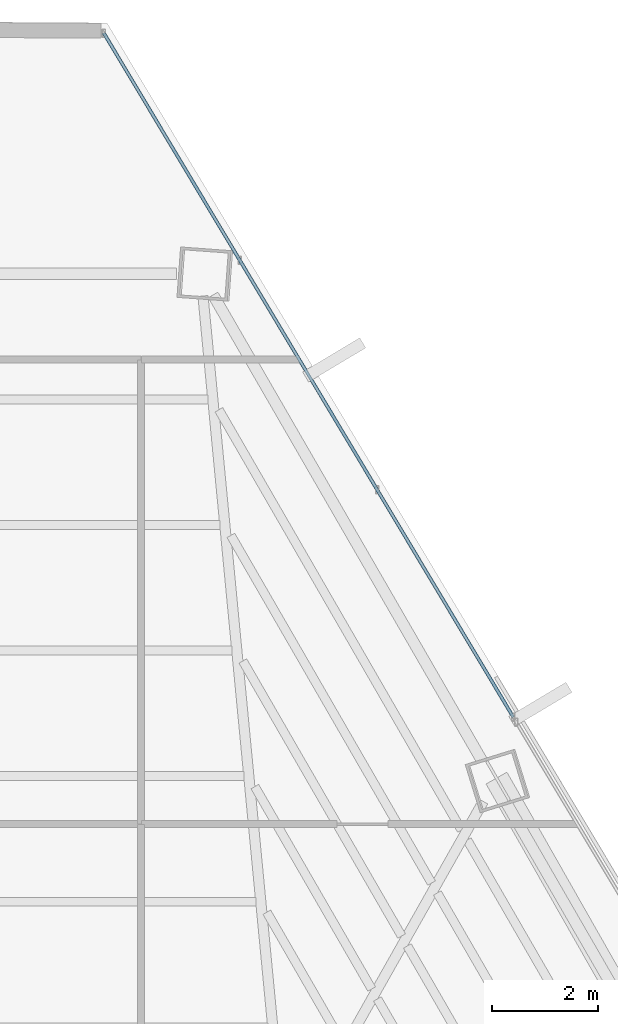
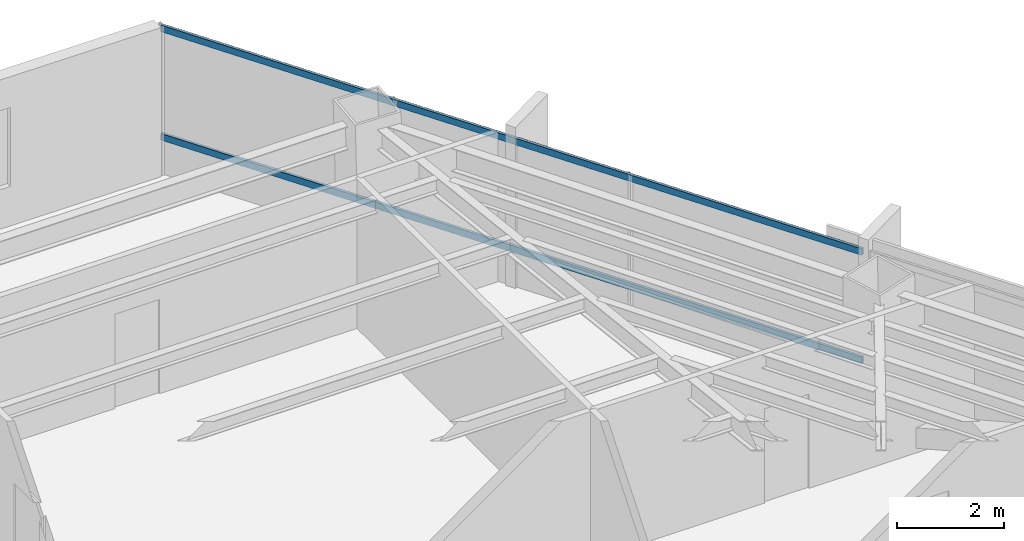
# One storey, part 32 of 41: 2 members, 1 element without a shape of its own.
"""IFC4 building model written with IfcOpenShell, lengths in metres."""

from ifc_helpers import new_model, si_unit, direction, frame, origin, origin_2d, place, context, subcontext, project, spatial, hollow_rectangle, extrude, source, transform, mapped, material, material_profile, profile_set, type_object, type_shapes, element, aggregate, save


model = new_model("IFC4")

# Units and contexts
model_context = context("Model", 3, precision=1e-05, world=origin(), true_north=direction((0.0, 1.0)))
body_context = subcontext(model_context, "Body", "Model", "MODEL_VIEW")
ifc_project = project(units=[si_unit("LENGTHUNIT", "METRE"), si_unit("AREAUNIT", "SQUARE_METRE"), si_unit("VOLUMEUNIT", "CUBIC_METRE"), si_unit("PLANEANGLEUNIT", "RADIAN"), si_unit("MASSUNIT", "GRAM", prefix="KILO")], contexts=[model_context])

# Site, building, storey
site_placement = place(None, origin())
site = spatial("IfcSite", under=ifc_project, at=site_placement, CompositionType="ELEMENT")
building_placement = place(site_placement, origin())
building = spatial("IfcBuilding", under=site, at=building_placement, Name="Caelisora Broadcast Tower", CompositionType="ELEMENT")
storey_placement = place(building_placement, frame((0.0, 0.0, 165.800048828125)))
storey = spatial("IfcBuildingStorey", under=building, at=storey_placement, Name="L43", CompositionType="ELEMENT", Elevation=165.800048828125)

# Curtain wall, members
ifc_material_1 = material(Name="Unitised Aluminium and Low-E Glass Curtain Wall", Category="glass")
curtain_wall_type = type_object("IfcCurtainWallType", Name="CW-Z3", PredefinedType="NOTDEFINED", material=ifc_material_1)
curtain_wall_placement = place(storey_placement, origin())
curtain_wall = element("IfcCurtainWall", 1, at=curtain_wall_placement, inside=storey, type_object=curtain_wall_type, Name="L43 curtain wall CW-Z3", PredefinedType="NOTDEFINED")
ifc_material_2 = material(Name="Aluminium 6063-T6 Anodised Terracotta Bronze", Category="aluminium")
ifc_material_profile = material_profile(ifc_material_2, hollow_rectangle(XDim=0.06005859375, YDim=0.14990234375, WallThickness=0.00341796875, at=origin_2d()), Name="Aluminium 6063-T6 Anodised Terracotta Bronze")
ifc_profile_set = profile_set([ifc_material_profile], Name="Aluminium 6063-T6 Anodised Terracotta Bronze")
member_type = type_object("IfcMemberType", Name="CWT-02", PredefinedType="USERDEFINED", material=ifc_profile_set)
shared_shape = source(origin(), body_context, "Body", "SweptSolid", [
    extrude(hollow_rectangle(XDim=0.06005859375, YDim=0.14990234375, WallThickness=0.00341796875, at=origin_2d()), origin(), (0.0, 0.0, 1.0), 14.981689453125),
])
type_shapes(member_type, [shared_shape])
member_1_placement = place(storey_placement, frame((42.099609375, 51.044189453125, 0.849853515625), z_axis=(0.513618376249, -0.85801874314, 0.0), x_axis=(0.85801874314, 0.513618376249, 0.0)))
member_1 = element("IfcMember", 2, at=member_1_placement, type_object=member_type, Name="L43-CW-B01 transom #1", ObjectType="TRANSOM", PredefinedType="USERDEFINED", context=body_context, shape_type="MappedRepresentation", body=[
    mapped(shared_shape, transform((0.0, 0.0, 0.0), scale=1.0)),
])
member_2_placement = place(storey_placement, frame((42.099609375, 51.044189453125, 3.320068359375), z_axis=(0.513618376249, -0.85801874314, 0.0), x_axis=(0.85801874314, 0.513618376249, 0.0)))
member_2 = element("IfcMember", 3, at=member_2_placement, type_object=member_type, Name="L43-CW-B01 transom #2", ObjectType="TRANSOM", PredefinedType="USERDEFINED", context=body_context, shape_type="MappedRepresentation", body=[
    mapped(shared_shape, transform((0.0, 0.0, 0.0), scale=1.0)),
])
aggregate(curtain_wall, [member_1, member_2])

save(model, "model.ifc")
